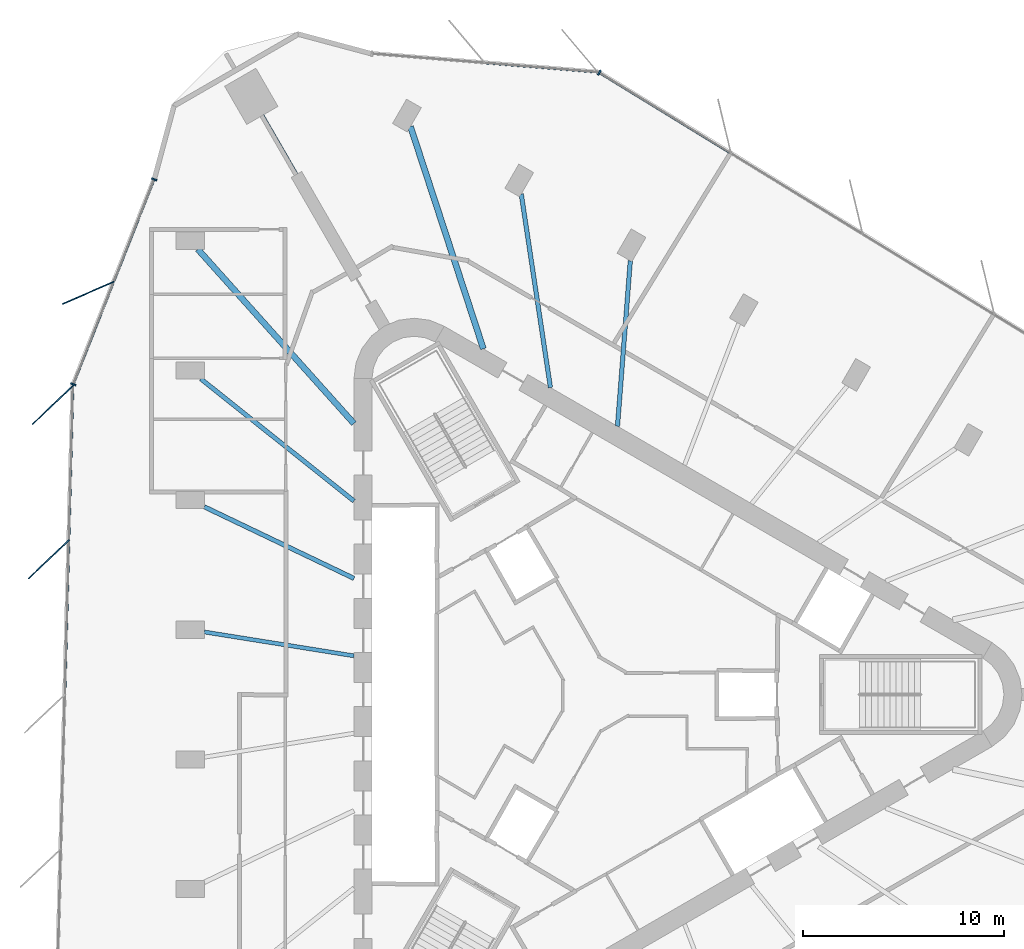
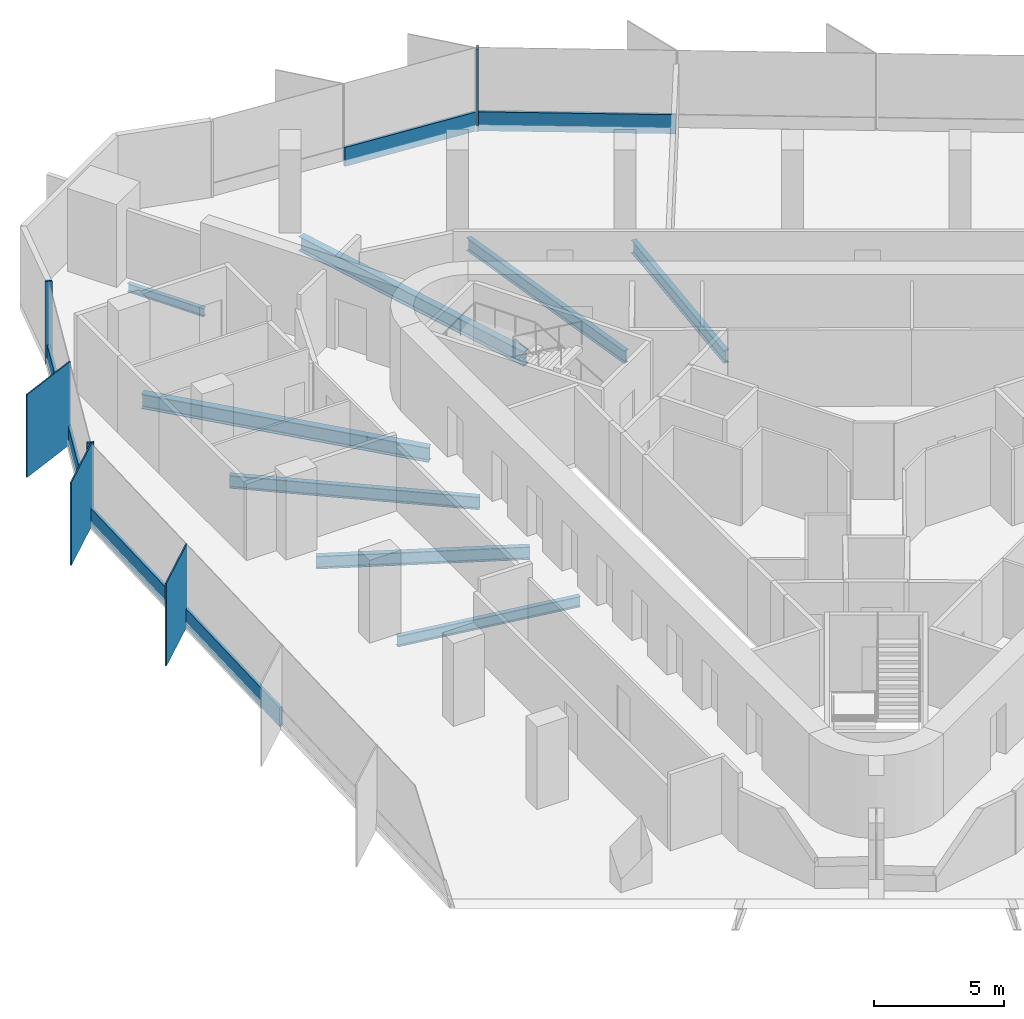
# One storey, part 4 of 13: 12 members, 8 beams, 4 elements without a shape of their own.
"""IFC4 building model written with IfcOpenShell, lengths in metres."""

from ifc_helpers import new_model, si_unit, direction, frame, origin, origin_2d, place, context, subcontext, project, spatial, rectangle, i_section, extrude, material, material_profile, profile_set, type_object, element, aggregate, save


model = new_model("IFC4")

# Units and contexts
model_context = context("Model", 3, precision=1e-05, world=origin(), true_north=direction((0.0, 1.0)))
body_context = subcontext(model_context, "Body", "Model", "MODEL_VIEW")
ifc_project = project(units=[si_unit("LENGTHUNIT", "METRE"), si_unit("AREAUNIT", "SQUARE_METRE"), si_unit("VOLUMEUNIT", "CUBIC_METRE"), si_unit("PLANEANGLEUNIT", "RADIAN"), si_unit("MASSUNIT", "GRAM", prefix="KILO")], contexts=[model_context])

# Site, building, storey
site_placement = place(None, origin())
site = spatial("IfcSite", under=ifc_project, at=site_placement, CompositionType="ELEMENT")
building_placement = place(site_placement, origin())
building = spatial("IfcBuilding", under=site, at=building_placement, Name="Tanit Gate Tower", CompositionType="ELEMENT")
storey_placement = place(building_placement, frame((0.0, 0.0, 329.89990234375)))
storey = spatial("IfcBuildingStorey", under=building, at=storey_placement, Name="L74", CompositionType="ELEMENT", Elevation=329.89990234375)

# Curtain wall, member
ifc_material_1 = material(Name="Aluminium bronze anodised and glass", Category="aluminium")
curtain_wall_type = type_object("IfcCurtainWallType", Name="Curtain wall typical high", PredefinedType="NOTDEFINED", material=ifc_material_1)
curtain_wall_1_placement = place(storey_placement, origin())
curtain_wall_1 = element("IfcCurtainWall", 1, at=curtain_wall_1_placement, inside=storey, type_object=curtain_wall_type, Name="Curtain wall L74 W1", PredefinedType="NOTDEFINED")
ifc_material_2 = material(Name="Aluminium bronze anodised", Category="aluminium")
ifc_material_profile_1 = material_profile(ifc_material_2, rectangle(XDim=2.800048828125, YDim=0.055908203125, at=origin_2d()), Name="56x2800 bronze fin mullion")
ifc_profile_set_1 = profile_set([ifc_material_profile_1], Name="Aluminium bronze anodised")
member_type_1 = type_object("IfcMemberType", Name="FIN MULLION 56x2800 bronze", PredefinedType="MULLION", material=ifc_profile_set_1)
member_1_placement = place(storey_placement, frame((-25.345947265625, 20.02587890625, -0.2998046875), z_axis=(0.0, 0.0, 1.0), x_axis=(0.917303704753, 0.398188288687, 0.0)))
member_1 = element("IfcMember", 2, at=member_1_placement, type_object=member_type_1, Name="Fin mullion L74 W1.2", PredefinedType="MULLION", context=body_context, shape_type="SweptSolid", body=[
    extrude(rectangle(XDim=2.800048828125, YDim=0.055908203125, at=origin_2d()), origin(), (0.0, 0.0, 1.0), 3.89990234375),
])

# Curtain wall, members
curtain_wall_2_placement = place(storey_placement, origin())
curtain_wall_2 = element("IfcCurtainWall", 3, at=curtain_wall_2_placement, inside=storey, type_object=curtain_wall_type, Name="Curtain wall L74 W2", PredefinedType="NOTDEFINED")
member_2_placement = place(storey_placement, frame((-27.112060546875, 14.4404296875, -0.2998046875), z_axis=(0.0, 0.0, 1.0), x_axis=(0.725295571884, 0.688437603131, 0.0)))
member_2 = element("IfcMember", 4, at=member_2_placement, type_object=member_type_1, Name="Fin mullion L74 W2.1", PredefinedType="MULLION", context=body_context, shape_type="SweptSolid", body=[
    extrude(rectangle(XDim=2.800048828125, YDim=0.055908203125, at=origin_2d()), origin(), (0.0, 0.0, 1.0), 3.89990234375),
])
member_3_placement = place(storey_placement, frame((-27.312744140625, 6.745361328125, -0.2998046875), z_axis=(0.0, 0.0, 1.0), x_axis=(0.725295571884, 0.688437603131, 0.0)))
member_3 = element("IfcMember", 5, at=member_3_placement, type_object=member_type_1, Name="Fin mullion L74 W2.2", PredefinedType="MULLION", context=body_context, shape_type="SweptSolid", body=[
    extrude(rectangle(XDim=2.800048828125, YDim=0.055908203125, at=origin_2d()), origin(), (0.0, 0.0, 1.0), 3.89990234375),
])

# Curtain wall, member
curtain_wall_3_placement = place(storey_placement, origin())
curtain_wall_3 = element("IfcCurtainWall", 6, at=curtain_wall_3_placement, inside=storey, type_object=curtain_wall_type, Name="Curtain wall L74 NE2", PredefinedType="NOTDEFINED")
ifc_material_3 = material(Name="Aluminium bronze anodised", Category="aluminium")
ifc_material_profile_2 = material_profile(ifc_material_3, rectangle(XDim=0.280029296875, YDim=0.080078125, at=origin_2d()), Name="80x280 bronze mullion")
ifc_profile_set_2 = profile_set([ifc_material_profile_2], Name="Aluminium bronze anodised")
member_type_2 = type_object("IfcMemberType", Name="Mullion 80x280 typical high", PredefinedType="MULLION", material=ifc_profile_set_2)
member_4_placement = place(storey_placement, frame((0.129150390625, 31.00244140625, -0.2998046875), z_axis=(0.0, 0.0, 1.0), x_axis=(-0.522400961521, -0.852699967985, 0.0)))
member_4 = element("IfcMember", 7, at=member_4_placement, type_object=member_type_2, Name="Mullion L74 NE2.5", PredefinedType="MULLION", context=body_context, shape_type="SweptSolid", body=[
    extrude(rectangle(XDim=0.280029296875, YDim=0.080078125, at=origin_2d()), origin(), (0.0, 0.0, 1.0), 3.89990234375),
])

# Member
member_5_placement = place(storey_placement, frame((-22.064208984375, 25.68310546875, -0.2998046875), z_axis=(0.0, 0.0, 1.0), x_axis=(0.930193309157, -0.367070030919, 0.0)))
member_5 = element("IfcMember", 8, at=member_5_placement, type_object=member_type_2, Name="Mullion L74 W1.1", PredefinedType="MULLION", context=body_context, shape_type="SweptSolid", body=[
    extrude(rectangle(XDim=0.280029296875, YDim=0.080078125, at=origin_2d()), origin(), (0.0, 0.0, 1.0), 3.89990234375),
])

member_6_placement = place(storey_placement, frame((-26.095458984375, 15.4677734375, -0.2998046875), z_axis=(0.0, 0.0, 1.0), x_axis=(0.930193309157, -0.367070030919, 0.0)))
member_6 = element("IfcMember", 9, at=member_6_placement, type_object=member_type_2, Name="Mullion L74 W1.3", PredefinedType="MULLION", context=body_context, shape_type="SweptSolid", body=[
    extrude(rectangle(XDim=0.280029296875, YDim=0.080078125, at=origin_2d()), origin(), (0.0, 0.0, 1.0), 3.89990234375),
])

# Beams
ifc_material_4 = material(Name="Steel S355", Category="steel")
ifc_material_profile_3 = material_profile(ifc_material_4, i_section(OverallWidth=0.300048828125, OverallDepth=0.68994140625, WebThickness=0.014404296875, FlangeThickness=0.027099609375, FilletRadius=0.027099609375, at=origin_2d()), Name="HEA 700")
ifc_profile_set_3 = profile_set([ifc_material_profile_3], Name="Steel S355")
beam_type_1 = type_object("IfcBeamType", Name="RADIAL GIRDER HEA 700 S355", PredefinedType="BEAM", material=ifc_profile_set_3)
beam_1_placement = place(storey_placement, frame((-9.283203125, 28.318359375, -0.64501953125), z_axis=(0.311519991774, -0.950239598588, 0.0), x_axis=(0.950239598588, 0.311519991774, 0.0)))
element("IfcBeam", 10, at=beam_1_placement, inside=storey, type_object=beam_type_1, Name="RADIAL GIRDER", PredefinedType="BEAM", context=body_context, shape_type="SweptSolid", body=[
    extrude(i_section(OverallWidth=0.300048828125, OverallDepth=0.68994140625, WebThickness=0.014404296875, FlangeThickness=0.027099609375, FilletRadius=0.027099609375, at=origin_2d()), origin(), (0.0, 0.0, 1.0), 11.662353515625),
])
beam_2_placement = place(storey_placement, frame((-19.8828125, 22.198486328125, -0.64501953125), z_axis=(0.667183957843, -0.744892989896, 0.0), x_axis=(0.744892989896, 0.667183957843, 0.0)))
element("IfcBeam", 11, at=beam_2_placement, inside=storey, type_object=beam_type_1, Name="RADIAL GIRDER", PredefinedType="BEAM", context=body_context, shape_type="SweptSolid", body=[
    extrude(i_section(OverallWidth=0.300048828125, OverallDepth=0.68994140625, WebThickness=0.014404296875, FlangeThickness=0.027099609375, FilletRadius=0.027099609375, at=origin_2d()), origin(), (0.0, 0.0, 1.0), 11.662109375),
])
ifc_material_5 = material(Name="Steel S355", Category="steel")
ifc_material_profile_4 = material_profile(ifc_material_5, i_section(OverallWidth=0.179931640625, OverallDepth=0.39990234375, WebThickness=0.008544921875, FlangeThickness=0.013427734375, FilletRadius=0.02099609375, at=origin_2d()), Name="IPE 400")
ifc_profile_set_4 = profile_set([ifc_material_profile_4], Name="Steel S355")
beam_type_2 = type_object("IfcBeamType", Name="RADIAL GIRDER IPE 400 S355", PredefinedType="BEAM", material=ifc_profile_set_4)
beam_3_placement = place(storey_placement, frame((-16.66748046875, 28.868896484375, -0.5), z_axis=(0.500041741429, -0.866001303018, 0.0), x_axis=(0.866001303018, 0.500041741429, 0.0)))
element("IfcBeam", 12, at=beam_3_placement, inside=storey, type_object=beam_type_2, Name="RADIAL GIRDER", PredefinedType="BEAM", context=body_context, shape_type="SweptSolid", body=[
    extrude(i_section(OverallWidth=0.179931640625, OverallDepth=0.39990234375, WebThickness=0.008544921875, FlangeThickness=0.013427734375, FilletRadius=0.02099609375, at=origin_2d()), origin(), (0.0, 0.0, 1.0), 3.397705078125),
])
ifc_material_6 = material(Name="Steel S355", Category="steel")
ifc_material_profile_5 = material_profile(ifc_material_6, i_section(OverallWidth=0.199951171875, OverallDepth=0.5, WebThickness=0.01025390625, FlangeThickness=0.01611328125, FilletRadius=0.02099609375, at=origin_2d()), Name="IPE 500")
ifc_profile_set_5 = profile_set([ifc_material_profile_5], Name="Steel S355")
beam_type_3 = type_object("IfcBeamType", Name="RADIAL GIRDER IPE 500 S355", PredefinedType="BEAM", material=ifc_profile_set_5)
beam_4_placement = place(storey_placement, frame((-19.563720703125, 3.120361328125, -0.5498046875), z_axis=(0.987516531299, -0.157515397379, 0.0), x_axis=(0.157515397379, 0.987516531299, 0.0)))
element("IfcBeam", 13, at=beam_4_placement, inside=storey, type_object=beam_type_3, Name="RADIAL GIRDER", PredefinedType="BEAM", context=body_context, shape_type="SweptSolid", body=[
    extrude(i_section(OverallWidth=0.199951171875, OverallDepth=0.5, WebThickness=0.01025390625, FlangeThickness=0.01611328125, FilletRadius=0.02099609375, at=origin_2d()), origin(), (0.0, 0.0, 1.0), 7.555908203125),
])
ifc_material_7 = material(Name="Steel S355", Category="steel")
ifc_material_profile_6 = material_profile(ifc_material_7, i_section(OverallWidth=0.219970703125, OverallDepth=0.60009765625, WebThickness=0.011962890625, FlangeThickness=0.01904296875, FilletRadius=0.02392578125, at=origin_2d()), Name="IPE 600")
ifc_profile_set_6 = profile_set([ifc_material_profile_6], Name="Steel S355")
beam_type_4 = type_object("IfcBeamType", Name="RADIAL GIRDER IPE 600 S355", PredefinedType="BEAM", material=ifc_profile_set_6)
beam_5_placement = place(storey_placement, frame((1.675048828125, 21.623046875, -0.599853515625), z_axis=(-0.077240429266, -0.997012495452, 0.0), x_axis=(0.997012495452, -0.077240429266, 0.0)))
element("IfcBeam", 14, at=beam_5_placement, inside=storey, type_object=beam_type_4, Name="RADIAL GIRDER", PredefinedType="BEAM", context=body_context, shape_type="SweptSolid", body=[
    extrude(i_section(OverallWidth=0.219970703125, OverallDepth=0.60009765625, WebThickness=0.011962890625, FlangeThickness=0.01904296875, FilletRadius=0.02392578125, at=origin_2d()), origin(), (0.0, 0.0, 1.0), 8.271728515625),
])
beam_6_placement = place(storey_placement, frame((-3.76123046875, 24.95458984375, -0.599853515625), z_axis=(0.1490500566, -0.988829651976, 0.0), x_axis=(0.988829651976, 0.1490500566, 0.0)))
element("IfcBeam", 15, at=beam_6_placement, inside=storey, type_object=beam_type_4, Name="RADIAL GIRDER", PredefinedType="BEAM", context=body_context, shape_type="SweptSolid", body=[
    extrude(i_section(OverallWidth=0.219970703125, OverallDepth=0.60009765625, WebThickness=0.011962890625, FlangeThickness=0.01904296875, FilletRadius=0.02392578125, at=origin_2d()), origin(), (0.0, 0.0, 1.0), 9.75732421875),
])
beam_7_placement = place(storey_placement, frame((-19.730712890625, 15.734619140625, -0.599853515625), z_axis=(0.781827225561, -0.623495139814, 0.0), x_axis=(0.623495139814, 0.781827225561, 0.0)))
element("IfcBeam", 16, at=beam_7_placement, inside=storey, type_object=beam_type_4, Name="RADIAL GIRDER", PredefinedType="BEAM", context=body_context, shape_type="SweptSolid", body=[
    extrude(i_section(OverallWidth=0.219970703125, OverallDepth=0.60009765625, WebThickness=0.011962890625, FlangeThickness=0.01904296875, FilletRadius=0.02392578125, at=origin_2d()), origin(), (0.0, 0.0, 1.0), 9.757568359375),
])
beam_8_placement = place(storey_placement, frame((-19.563720703125, 9.36083984375, -0.599853515625), z_axis=(0.902054789369, -0.431621543688, 0.0), x_axis=(0.431621543688, 0.902054789369, 0.0)))
element("IfcBeam", 17, at=beam_8_placement, inside=storey, type_object=beam_type_4, Name="RADIAL GIRDER", PredefinedType="BEAM", context=body_context, shape_type="SweptSolid", body=[
    extrude(i_section(OverallWidth=0.219970703125, OverallDepth=0.60009765625, WebThickness=0.011962890625, FlangeThickness=0.01904296875, FilletRadius=0.02392578125, at=origin_2d()), origin(), (0.0, 0.0, 1.0), 8.27197265625),
])

# Member
ifc_material_8 = material(Name="Aluminium bronze anodised", Category="aluminium")
ifc_material_profile_7 = material_profile(ifc_material_8, rectangle(XDim=0.1201171875, YDim=0.89990234375, at=origin_2d()), Name="120x900 bronze transom")
ifc_profile_set_7 = profile_set([ifc_material_profile_7], Name="Aluminium bronze anodised")
member_type_3 = type_object("IfcMemberType", Name="Transom 120x900 typical high", PredefinedType="USERDEFINED", material=ifc_profile_set_7)
member_7_placement = place(storey_placement, frame((6.65869140625, 27.002197265625, 0.150146484375), z_axis=(-0.852691062329, 0.522415497687, 0.0), x_axis=(-0.522415497687, -0.852691062329, 0.0)))
member_7 = element("IfcMember", 18, at=member_7_placement, type_object=member_type_3, Name="Transom L74 NE2.4", ObjectType="TRANSOM", PredefinedType="USERDEFINED", context=body_context, shape_type="SweptSolid", body=[
    extrude(rectangle(XDim=0.1201171875, YDim=0.89990234375, at=origin_2d()), origin(), (0.0, 0.0, 1.0), 7.617431640625),
])

aggregate(curtain_wall_3, [member_4, member_7])

# Curtain wall, member
curtain_wall_4_placement = place(storey_placement, origin())
curtain_wall_4 = element("IfcCurtainWall", 19, at=curtain_wall_4_placement, inside=storey, type_object=curtain_wall_type, Name="Curtain wall L74 NE3", PredefinedType="NOTDEFINED")
member_8_placement = place(storey_placement, frame((0.015380859375, 31.030029296875, 0.150146484375), z_axis=(-0.996645692333, 0.081837423916, 0.0), x_axis=(-0.081837423916, -0.996645692333, 0.0)))
member_8 = element("IfcMember", 20, at=member_8_placement, type_object=member_type_3, Name="Transom L74 NE3.1", ObjectType="TRANSOM", PredefinedType="USERDEFINED", context=body_context, shape_type="SweptSolid", body=[
    extrude(rectangle(XDim=0.1201171875, YDim=0.89990234375, at=origin_2d()), origin(), (0.0, 0.0, 1.0), 5.56982421875),
])
aggregate(curtain_wall_4, [member_8])

# Member
member_9_placement = place(storey_placement, frame((-22.078857421875, 25.64599609375, 0.150146484375), z_axis=(-0.367077162798, -0.930190494765, 0.0), x_axis=(0.930190494765, -0.367077162798, 0.0)))
member_9 = element("IfcMember", 21, at=member_9_placement, type_object=member_type_3, Name="Transom L74 W1.1", ObjectType="TRANSOM", PredefinedType="USERDEFINED", context=body_context, shape_type="SweptSolid", body=[
    extrude(rectangle(XDim=0.1201171875, YDim=0.89990234375, at=origin_2d()), origin(), (0.0, 0.0, 1.0), 5.4111328125),
])

member_10_placement = place(storey_placement, frame((-24.094482421875, 20.538330078125, 0.150146484375), z_axis=(-0.367077162798, -0.930190494765, 0.0), x_axis=(0.930190494765, -0.367077162798, 0.0)))
member_10 = element("IfcMember", 22, at=member_10_placement, type_object=member_type_3, Name="Transom L74 W1.2", ObjectType="TRANSOM", PredefinedType="USERDEFINED", context=body_context, shape_type="SweptSolid", body=[
    extrude(rectangle(XDim=0.1201171875, YDim=0.89990234375, at=origin_2d()), origin(), (0.0, 0.0, 1.0), 5.4111328125),
])

aggregate(curtain_wall_1, [member_5, member_1, member_6, member_9, member_10])

member_11_placement = place(storey_placement, frame((-26.112060546875, 15.3505859375, 0.150146484375), z_axis=(-0.026056361338, -0.999660475378, 0.0), x_axis=(0.999660475378, -0.026056361338, 0.0)))
member_11 = element("IfcMember", 23, at=member_11_placement, type_object=member_type_3, Name="Transom L74 W2.1", ObjectType="TRANSOM", PredefinedType="USERDEFINED", context=body_context, shape_type="SweptSolid", body=[
    extrude(rectangle(XDim=0.1201171875, YDim=0.89990234375, at=origin_2d()), origin(), (0.0, 0.0, 1.0), 7.61767578125),
])

member_12_placement = place(storey_placement, frame((-26.312744140625, 7.655517578125, 0.150146484375), z_axis=(-0.026056361338, -0.999660475378, 0.0), x_axis=(0.999660475378, -0.026056361338, 0.0)))
member_12 = element("IfcMember", 24, at=member_12_placement, type_object=member_type_3, Name="Transom L74 W2.2", ObjectType="TRANSOM", PredefinedType="USERDEFINED", context=body_context, shape_type="SweptSolid", body=[
    extrude(rectangle(XDim=0.1201171875, YDim=0.89990234375, at=origin_2d()), origin(), (0.0, 0.0, 1.0), 7.61767578125),
])

aggregate(curtain_wall_2, [member_2, member_3, member_11, member_12])

save(model, "model.ifc")
